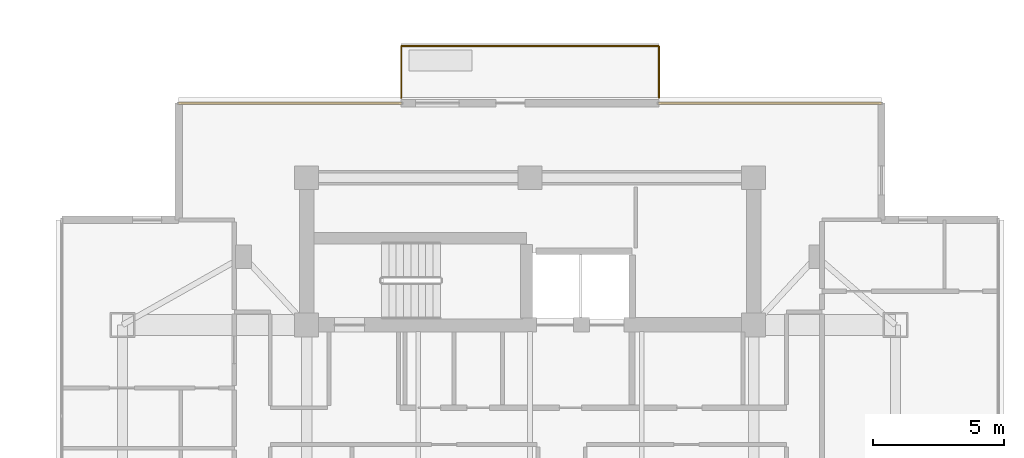
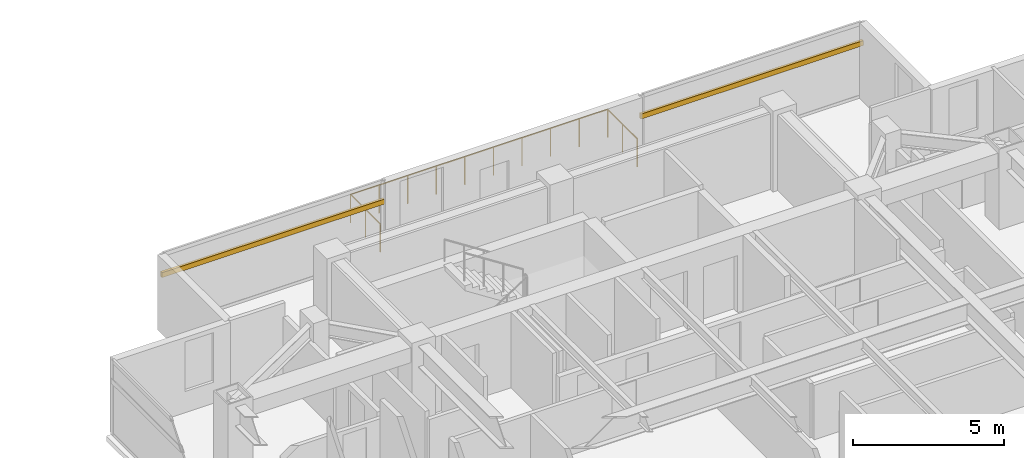
# One storey, part 26 of 26: 3 railings, 2 shading devices.
"""IFC4 building model written with IfcOpenShell, lengths in metres."""

from ifc_helpers import new_model, si_unit, direction, frame, origin, origin_2d, place, context, subcontext, project, spatial, rectangle, circle, extrude, material, material_profile, profile_set, type_object, element, save


model = new_model("IFC4")

# Units and contexts
model_context = context("Model", 3, precision=1e-05, world=origin(), true_north=direction((0.0, 1.0)))
body_context = subcontext(model_context, "Body", "Model", "MODEL_VIEW")
ifc_project = project(units=[si_unit("LENGTHUNIT", "METRE"), si_unit("AREAUNIT", "SQUARE_METRE"), si_unit("VOLUMEUNIT", "CUBIC_METRE"), si_unit("PLANEANGLEUNIT", "RADIAN"), si_unit("MASSUNIT", "GRAM", prefix="KILO")], contexts=[model_context])

# Site, building, storey
site_placement = place(None, origin())
site = spatial("IfcSite", under=ifc_project, at=site_placement, CompositionType="ELEMENT")
building_placement = place(site_placement, origin())
building = spatial("IfcBuilding", under=site, at=building_placement, Name="Mirazonda Arch Towers", CompositionType="ELEMENT")
storey_placement = place(building_placement, frame((0.0, 0.0, 203.14990234375)))
storey = spatial("IfcBuildingStorey", under=building, at=storey_placement, Name="L58", CompositionType="ELEMENT", Elevation=203.14990234375)

# Shading devices
ifc_material_1 = material(Name="Kiln-Fired Architectural Terracotta", Category="masonry")
ifc_material_profile = material_profile(ifc_material_1, rectangle(XDim=0.10009765625, YDim=0.199951171875, at=origin_2d()), Name="TERRA-BAG-100x200")
ifc_profile_set = profile_set([ifc_material_profile], Name="Kiln-Fired Architectural Terracotta")
shading_device_type = type_object("IfcShadingDeviceType", Name="BAGUETTE-2", PredefinedType="USERDEFINED", material=ifc_profile_set)
for number, where, z_axis, x_axis, name in (
    (1, (63.13427734375, 43.63818359375, 2.181640625), (1.0, 0.0, 0.0), (0.0, 1.0, 0.0), "L58 Glazed Terracotta Sun-Screen Baguette CW-L58-T2-NA"),
    (2, (81.389892578125, 43.63818359375, 2.181640625), (1.0, 0.0, 0.0), (0.0, 1.0, 0.0), "L58 Glazed Terracotta Sun-Screen Baguette CW-L58-T2-NB"),
):
    element("IfcShadingDevice", number, at=place(storey_placement, frame(where, z_axis=z_axis, x_axis=x_axis)), inside=storey, type_object=shading_device_type, Name=name, ObjectType="BAGUETTE", PredefinedType="USERDEFINED", context=body_context, shape_type="SweptSolid", body=[
        extrude(rectangle(XDim=0.10009765625, YDim=0.199951171875, at=origin_2d()), origin(), (0.0, 0.0, 1.0), 8.475830078125),
    ])

# Railings
ifc_material_2 = material(Name="Architectural Brushed Steel S355", Category="steel")
railing_type = type_object("IfcRailingType", Name="GUARD-EXT-1150", PredefinedType="GUARDRAIL", material=ifc_material_2)
railing_1_placement = place(storey_placement, frame((71.60009765625, 43.848388671875, 0.0)))
element("IfcRailing", 3, at=railing_1_placement, inside=storey, type_object=railing_type, Name="L58 T2 Sky-Terrace Guard 01", PredefinedType="GUARDRAIL", context=body_context, shape_type="SweptSolid", body=[
    extrude(circle(Radius=0.02392578125, at=origin_2d()), frame((0.0, 0.0, 1.1259765625), z_axis=(0.0, 1.0, 0.0), x_axis=(-1.0, 0.0, 0.0)), (0.0, 0.0, 1.0), 1.9599609375),
    extrude(circle(Radius=0.02099609375, at=origin_2d()), origin(), (0.0, 0.0, 1.0), 1.101806640625),
    extrude(circle(Radius=0.02099609375, at=origin_2d()), frame((0.0, 0.97998046875, 0.0)), (0.0, 0.0, 1.0), 1.101806640625),
    extrude(circle(Radius=0.02099609375, at=origin_2d()), frame((0.0, 1.9599609375, 0.0)), (0.0, 0.0, 1.0), 1.101806640625),
])
railing_2_placement = place(storey_placement, frame((71.60009765625, 45.808349609375, 0.0)))
element("IfcRailing", 4, at=railing_2_placement, inside=storey, type_object=railing_type, Name="L58 T2 Sky-Terrace Guard 02", PredefinedType="GUARDRAIL", context=body_context, shape_type="SweptSolid", body=[
    extrude(circle(Radius=0.02392578125, at=origin_2d()), frame((0.0, 0.0, 1.1259765625), z_axis=(1.0, 0.0, 0.0), x_axis=(0.0, 1.0, 0.0)), (0.0, 0.0, 1.0), 9.7998046875),
    extrude(circle(Radius=0.02099609375, at=origin_2d()), origin(), (0.0, 0.0, 1.0), 1.101806640625),
    extrude(circle(Radius=0.02099609375, at=origin_2d()), frame((1.0888671875, 0.0, 0.0)), (0.0, 0.0, 1.0), 1.101806640625),
    extrude(circle(Radius=0.02099609375, at=origin_2d()), frame((2.177734375, 0.0, 0.0)), (0.0, 0.0, 1.0), 1.101806640625),
    extrude(circle(Radius=0.02099609375, at=origin_2d()), frame((3.2666015625, 0.0, 0.0)), (0.0, 0.0, 1.0), 1.101806640625),
    extrude(circle(Radius=0.02099609375, at=origin_2d()), frame((4.35546875, 0.0, 0.0)), (0.0, 0.0, 1.0), 1.101806640625),
    extrude(circle(Radius=0.02099609375, at=origin_2d()), frame((5.4443359375, 0.0, 0.0)), (0.0, 0.0, 1.0), 1.101806640625),
    extrude(circle(Radius=0.02099609375, at=origin_2d()), frame((6.533203125, 0.0, 0.0)), (0.0, 0.0, 1.0), 1.101806640625),
    extrude(circle(Radius=0.02099609375, at=origin_2d()), frame((7.6220703125, 0.0, 0.0)), (0.0, 0.0, 1.0), 1.101806640625),
    extrude(circle(Radius=0.02099609375, at=origin_2d()), frame((8.7109375, 0.0, 0.0)), (0.0, 0.0, 1.0), 1.101806640625),
    extrude(circle(Radius=0.02099609375, at=origin_2d()), frame((9.7998046875, 0.0, 0.0)), (0.0, 0.0, 1.0), 1.101806640625),
])
railing_3_placement = place(storey_placement, frame((81.39990234375, 45.808349609375, 0.0)))
element("IfcRailing", 5, at=railing_3_placement, inside=storey, type_object=railing_type, Name="L58 T2 Sky-Terrace Guard 03", PredefinedType="GUARDRAIL", context=body_context, shape_type="SweptSolid", body=[
    extrude(circle(Radius=0.02392578125, at=origin_2d()), frame((0.0, 0.0, 1.1259765625), z_axis=(0.0, -1.0, 0.0), x_axis=(1.0, 0.0, 0.0)), (0.0, 0.0, 1.0), 1.9599609375),
    extrude(circle(Radius=0.02099609375, at=origin_2d()), origin(), (0.0, 0.0, 1.0), 1.101806640625),
    extrude(circle(Radius=0.02099609375, at=origin_2d()), frame((0.0, -0.97998046875, 0.0)), (0.0, 0.0, 1.0), 1.101806640625),
    extrude(circle(Radius=0.02099609375, at=origin_2d()), frame((0.0, -1.9599609375, 0.0)), (0.0, 0.0, 1.0), 1.101806640625),
])

save(model, "model.ifc")
